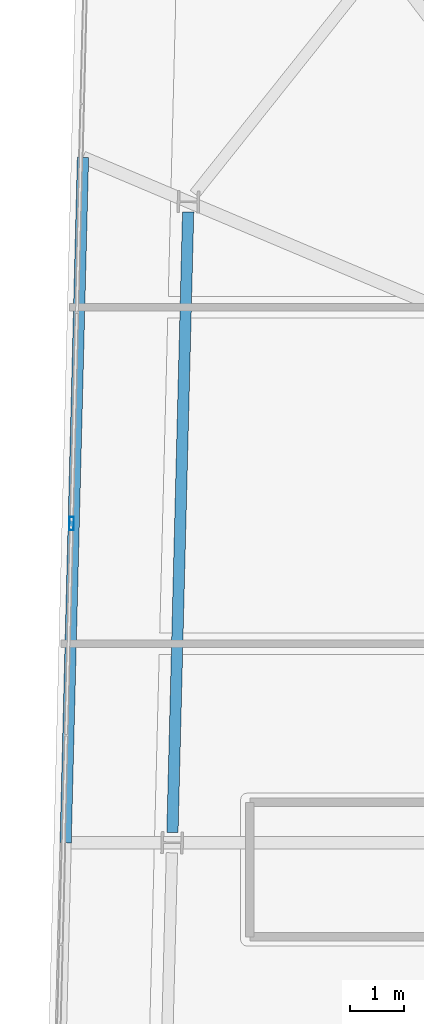
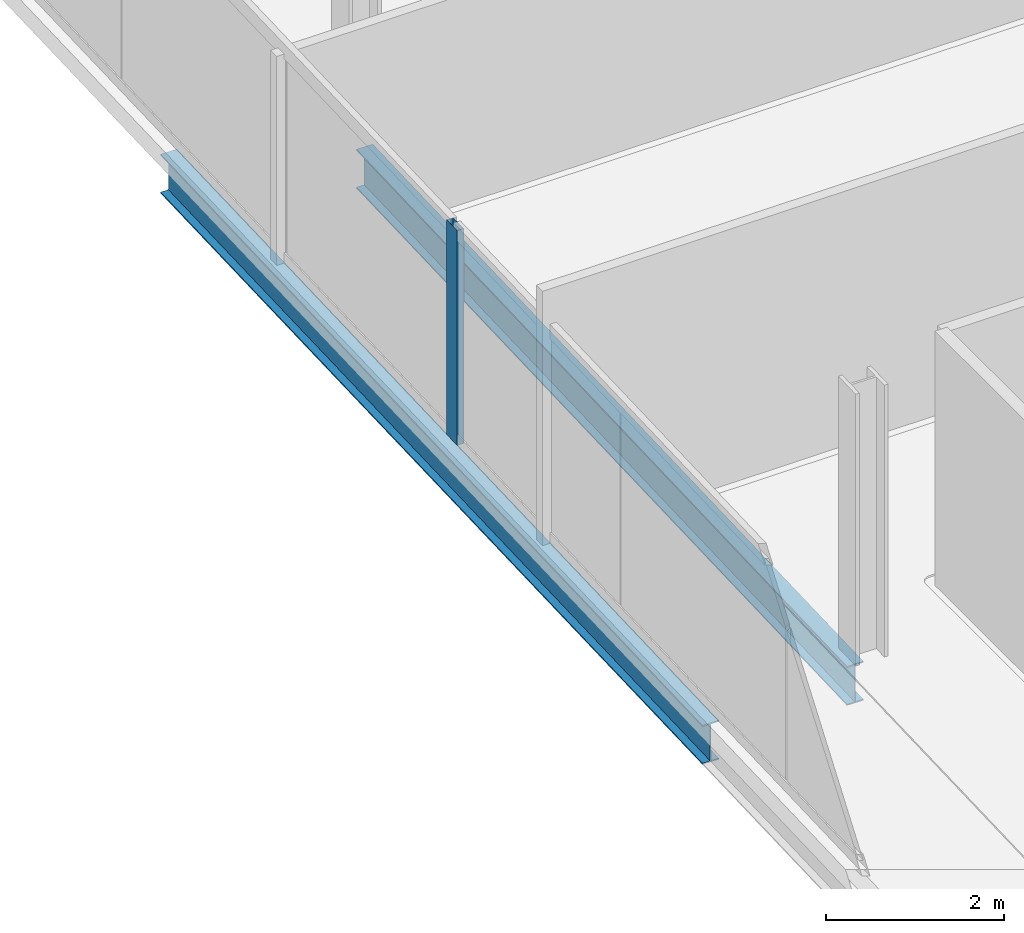
# One storey, part 7 of 25: 2 beams, 1 member, 1 element without a shape of its own.
"""IFC4 building model written with IfcOpenShell, lengths in metres."""

import ifcopenshell
import ifcopenshell.guid

model = None  # the IFC model being written
_history = None  # IfcOwnerHistory: only IFC2X3 demands one
_inside = {}  # id of a spatial element -> (the spatial element, [elements in it])
_under = {}  # id of a project, library or spatial element -> (it, [spatial elements below it])
_declared = {}  # id of a project -> (the project, [libraries it declares])
_typed = {}  # id of a type object -> (the type object, [elements of that type])
_made_of = {}  # id of a material, layer set ... -> (it, [elements and type objects made of it])


def new_model(schema):
    """Start an empty IFC model of exactly this schema.

    Asked for "IFC4X3", IfcOpenShell would pick the latest addendum, in which some entities
    have other attributes; the version numbers below select the first issue.
    IFC2X3 requires an IfcOwnerHistory on every rooted entity: one is made here for all.
    """
    global model, _history
    if schema == "IFC4X3":
        model = ifcopenshell.file(schema_version=(4, 3, 0, 0))
    else:
        model = ifcopenshell.file(schema=schema)
    _inside.clear()
    _under.clear()
    _declared.clear()
    _typed.clear()
    _made_of.clear()
    _history = None
    if model.schema == "IFC2X3":
        org = make("IfcOrganization", Name="unknown")
        user = make(
            "IfcPersonAndOrganization",
            ThePerson=make("IfcPerson", FamilyName="unknown"),
            TheOrganization=org,
        )
        app = make(
            "IfcApplication",
            ApplicationDeveloper=org,
            Version="unknown",
            ApplicationFullName="unknown",
            ApplicationIdentifier="unknown",
        )
        _history = make(
            "IfcOwnerHistory",
            OwningUser=user,
            OwningApplication=app,
            ChangeAction="ADDED",
            CreationDate=0,
        )
    return model


def make(cls, **values):
    """One entity of the class cls with the attributes given. An attribute that is None is left unset."""
    return model.create_entity(
        cls, **{name: value for name, value in values.items() if value is not None}
    )


def rooted(cls, **values):
    """An entity with a GlobalId (a new one), such as an element, a storey or a relation."""
    return make(cls, GlobalId=ifcopenshell.guid.new(), OwnerHistory=_history, **values)


def si_unit(unit_type, name, prefix=None):
    """IfcSIUnit, for example si_unit("LENGTHUNIT", "METRE", prefix="MILLI")."""
    return make("IfcSIUnit", UnitType=unit_type, Prefix=prefix, Name=name)


def assignment(units):
    """IfcUnitAssignment: the units of a project."""
    return None if units is None else make("IfcUnitAssignment", Units=units)


def point(xyz):
    """IfcCartesianPoint."""
    return None if xyz is None else make("IfcCartesianPoint", Coordinates=xyz)


def direction(xyz):
    """IfcDirection."""
    return None if xyz is None else make("IfcDirection", DirectionRatios=xyz)


def frame(location, z_axis=None, x_axis=None):
    """IfcAxis2Placement3D, a coordinate frame: its origin and axes. An axis left out is left unset."""
    return make(
        "IfcAxis2Placement3D",
        Location=point(location),
        Axis=direction(z_axis),
        RefDirection=direction(x_axis),
    )


def frame_2d(location, x_axis=None):
    """IfcAxis2Placement2D, a coordinate frame in the plane: its origin and x axis."""
    return make(
        "IfcAxis2Placement2D", Location=point(location), RefDirection=direction(x_axis)
    )


def origin():
    """The frame at (0, 0, 0) with its axes left unset."""
    return frame((0.0, 0.0, 0.0))


def origin_2d():
    """The frame at (0, 0) in the plane with its x axis left unset."""
    return frame_2d((0.0, 0.0))


def place(relative_to, where):
    """IfcLocalPlacement: puts the frame where relative to a parent placement (None: the world)."""
    return make(
        "IfcLocalPlacement", PlacementRelTo=relative_to, RelativePlacement=where
    )


def context(
    kind, dimensions, precision=None, world=None, true_north=None, identifier=None
):
    """IfcGeometricRepresentationContext, for example the 3D "Model" context."""
    return make(
        "IfcGeometricRepresentationContext",
        ContextIdentifier=identifier,
        ContextType=kind,
        CoordinateSpaceDimension=dimensions,
        Precision=precision,
        WorldCoordinateSystem=world,
        TrueNorth=true_north,
    )


def subcontext(parent, identifier, kind, view, scale=None):
    """IfcGeometricRepresentationSubContext, for example "Body" below "Model"."""
    return make(
        "IfcGeometricRepresentationSubContext",
        ContextIdentifier=identifier,
        ContextType=kind,
        ParentContext=parent,
        TargetScale=scale,
        TargetView=view,
    )


def project(units=None, contexts=None):
    """IfcProject with its units and contexts."""
    return rooted(
        "IfcProject",
        Name="project",
        RepresentationContexts=contexts,
        UnitsInContext=assignment(units),
    )


def spatial(cls, under=None, at=None, **own):
    """A site, building, storey or space (cls), placed at a placement, below another one or the project."""
    s = rooted(cls, ObjectPlacement=at, **own)
    if under is not None:
        _under.setdefault(under.id(), (under, []))[1].append(s)
    return s


def profile(cls, at=None, kind="AREA", **sizes):
    """A parametric profile (cls). Its sizes go by their IFC names, for example OverallWidth=200.0."""
    return make(cls, ProfileType=kind, Position=at, **sizes)


def hollow_rectangle(**sizes):
    """IfcRectangleHollowProfileDef."""
    return profile("IfcRectangleHollowProfileDef", **sizes)


def i_section(**sizes):
    """IfcIShapeProfileDef."""
    return profile("IfcIShapeProfileDef", **sizes)


def extrude(swept, where, along, depth):
    """IfcExtrudedAreaSolid: the profile swept, set in the frame where, extruded along a direction by depth."""
    return make(
        "IfcExtrudedAreaSolid",
        SweptArea=swept,
        Position=where,
        ExtrudedDirection=direction(along),
        Depth=depth,
    )


def shape(context_of_items, identifier, shape_type, items):
    """IfcShapeRepresentation: the items that make up one representation, for example the "Body"."""
    return make(
        "IfcShapeRepresentation",
        ContextOfItems=context_of_items,
        RepresentationIdentifier=identifier,
        RepresentationType=shape_type,
        Items=items,
    )


def material(Name=None, Category=None):
    """IfcMaterial."""
    return make("IfcMaterial", Name=Name, Category=Category)


def material_profile(
    of_material, cross_section, Name=None, Category=None, Priority=None
):
    """IfcMaterialProfile: a cross section and its material."""
    return make(
        "IfcMaterialProfile",
        Name=Name,
        Material=of_material,
        Profile=cross_section,
        Priority=Priority,
        Category=Category,
    )


def profile_set(profiles, Name=None, composite=None):
    """IfcMaterialProfileSet."""
    return make(
        "IfcMaterialProfileSet",
        Name=Name,
        MaterialProfiles=profiles,
        CompositeProfile=composite,
    )


def made_of(thing, what):
    """Note that an element or type object is made of a material, layer set ...; save() writes the relation."""
    if what is not None:
        _made_of.setdefault(what.id(), (what, []))[1].append(thing)
    return thing


def type_object(cls, material=None, **own):
    """A type object (cls), such as IfcWallType, which elements share."""
    return made_of(rooted(cls, **own), material)


def element(
    cls,
    number,
    at=None,
    inside=None,
    cuts=None,
    type_object=None,
    material=None,
    context=None,
    identifier="Body",
    shape_type=None,
    held_by="IfcProductDefinitionShape",
    body=None,
    shapes=None,
    **own,
):
    """One element of the class cls, such as IfcWall. Its Tag is "e" and its number.

    at: its placement. inside: the storey or other place that contains it. cuts: it is an
    opening in that element (IfcRelVoidsElement). A single representation is given by context,
    identifier, shape_type and body (its items); several are given by shapes. held_by: the class
    of the entity that holds the representations. save() writes the other relations.
    """
    e = rooted(cls, Tag="e%d" % number, ObjectPlacement=at, **own)
    if body is not None:
        shapes = [shape(context, identifier, shape_type, body)]
    if shapes is not None:
        e.Representation = make(held_by, Representations=shapes)
    if inside is not None:
        _inside.setdefault(inside.id(), (inside, []))[1].append(e)
    if cuts is not None:
        rooted(
            "IfcRelVoidsElement", RelatingBuildingElement=cuts, RelatedOpeningElement=e
        )
    if type_object is not None:
        _typed.setdefault(type_object.id(), (type_object, []))[1].append(e)
    return made_of(e, material)


def aggregate(whole, parts):
    """IfcRelAggregates: a whole, such as a stair, and the parts it consists of."""
    return rooted("IfcRelAggregates", RelatingObject=whole, RelatedObjects=parts)


def save(model, path):
    """Write the relations noted so far, then the file.

    IfcRelAggregates (storeys below a building ...), IfcRelContainedInSpatialStructure (elements
    in a storey), IfcRelDefinesByType, IfcRelAssociatesMaterial and IfcRelDeclares: one each for
    every whole, place, type object, material and project.
    """
    for whole, parts in _under.values():
        aggregate(whole, parts)
    for where, things in _inside.values():
        rooted(
            "IfcRelContainedInSpatialStructure",
            RelatedElements=things,
            RelatingStructure=where,
        )
    for kind, things in _typed.values():
        rooted("IfcRelDefinesByType", RelatedObjects=things, RelatingType=kind)
    for what, things in _made_of.values():
        rooted("IfcRelAssociatesMaterial", RelatedObjects=things, RelatingMaterial=what)
    for by, libraries in _declared.values():
        rooted("IfcRelDeclares", RelatingContext=by, RelatedDefinitions=libraries)
    model.write(path)


model = new_model("IFC4")

# Units and contexts
model_context = context("Model", 3, precision=1e-05, world=origin(), true_north=direction((0.0, 1.0)))
body_context = subcontext(model_context, "Body", "Model", "MODEL_VIEW")
ifc_project = project(units=[si_unit("LENGTHUNIT", "METRE"), si_unit("AREAUNIT", "SQUARE_METRE"), si_unit("VOLUMEUNIT", "CUBIC_METRE"), si_unit("PLANEANGLEUNIT", "RADIAN"), si_unit("MASSUNIT", "GRAM", prefix="KILO")], contexts=[model_context])

# Site, building, storey
site_placement = place(None, origin())
site = spatial("IfcSite", under=ifc_project, at=site_placement, CompositionType="ELEMENT")
building_placement = place(site_placement, origin())
building = spatial("IfcBuilding", under=site, at=building_placement, Name="Haldenkirk Collegiate Tower", CompositionType="ELEMENT")
storey_placement = place(building_placement, frame((0.0, 0.0, 325.199951171875)))
storey = spatial("IfcBuildingStorey", under=building, at=storey_placement, Name="L82", CompositionType="ELEMENT", Elevation=325.199951171875)

# Beams
ifc_material_1 = material(Name="Steel ASTM A992 Grade 50", Category="steel")
ifc_material_profile_1 = material_profile(ifc_material_1, i_section(OverallWidth=0.2099609375, OverallDepth=0.537109375, WebThickness=0.010986328125, FlangeThickness=0.017333984375, at=origin_2d()), Name="W21X68")
ifc_profile_set_1 = profile_set([ifc_material_profile_1], Name="Steel ASTM A992 Grade 50")
beam_type = type_object("IfcBeamType", Name="BM-SPANDREL-W21X68", PredefinedType="SPANDREL", material=ifc_profile_set_1)
beam_1_placement = place(storey_placement, frame((16.552978515625, 38.22412109375, -0.528564453125), z_axis=(-0.025302458902, -0.999679841536, 0.0), x_axis=(0.999679841536, -0.025302458902, 0.0)))
element("IfcBeam", 1, at=beam_1_placement, inside=storey, type_object=beam_type, Name="L82 perimeter spandrel beam 10", PredefinedType="SPANDREL", context=body_context, shape_type="SweptSolid", body=[
    extrude(i_section(OverallWidth=0.2099609375, OverallDepth=0.537109375, WebThickness=0.010986328125, FlangeThickness=0.017333984375, at=origin_2d()), origin(), (0.0, 0.0, 1.0), 11.5400390625),
])
beam_2_placement = place(storey_placement, frame((14.59814453125, 39.239990234375, -0.528564453125), z_axis=(-0.02530616562, -0.99967974771, 0.0), x_axis=(0.99967974771, -0.02530616562, 0.0)))
element("IfcBeam", 2, at=beam_2_placement, inside=storey, type_object=beam_type, Name="L82 outer facade edge beam 3A", PredefinedType="SPANDREL", context=body_context, shape_type="SweptSolid", body=[
    extrude(i_section(OverallWidth=0.2099609375, OverallDepth=0.537109375, WebThickness=0.010986328125, FlangeThickness=0.017333984375, at=origin_2d()), origin(), (0.0, 0.0, 1.0), 12.744384765625),
])

# Curtain wall, member
ifc_material_2 = material(Name="Anodised architectural bronze aluminium", Category="aluminium")
curtain_wall_type = type_object("IfcCurtainWallType", Name="CW-SYS1B-CONVEX-HI", PredefinedType="USERDEFINED", material=ifc_material_2)
curtain_wall_placement = place(storey_placement, origin())
curtain_wall = element("IfcCurtainWall", 3, at=curtain_wall_placement, inside=storey, type_object=curtain_wall_type, Name="L82 Upper tower high-wind convex bronze unitised curtain wall", ObjectType="UNITISED CURTAIN WALL", PredefinedType="USERDEFINED")
ifc_material_profile_2 = material_profile(ifc_material_2, hollow_rectangle(XDim=0.0849609375, YDim=0.25, WallThickness=0.0048828125, at=origin_2d()), Name="CW-MUL-1B")
ifc_profile_set_2 = profile_set([ifc_material_profile_2], Name="Anodised architectural bronze aluminium")
member_type = type_object("IfcMemberType", Name="CW-MUL-1B", PredefinedType="MULLION", material=ifc_profile_set_2)
member_placement = place(storey_placement, frame((14.3857421875, 32.432373046875, 0.0), z_axis=(0.0, 0.0, 1.0), x_axis=(-0.99967982494, 0.025303114586, 0.0)))
member = element("IfcMember", 4, at=member_placement, type_object=member_type, Name="CW-1B mullion 3", PredefinedType="MULLION", context=body_context, shape_type="SweptSolid", body=[
    extrude(hollow_rectangle(XDim=0.0849609375, YDim=0.25, WallThickness=0.0048828125, at=origin_2d()), origin(), (0.0, 0.0, 1.0), 2.947998046875),
])
aggregate(curtain_wall, [member])

save(model, "model.ifc")
